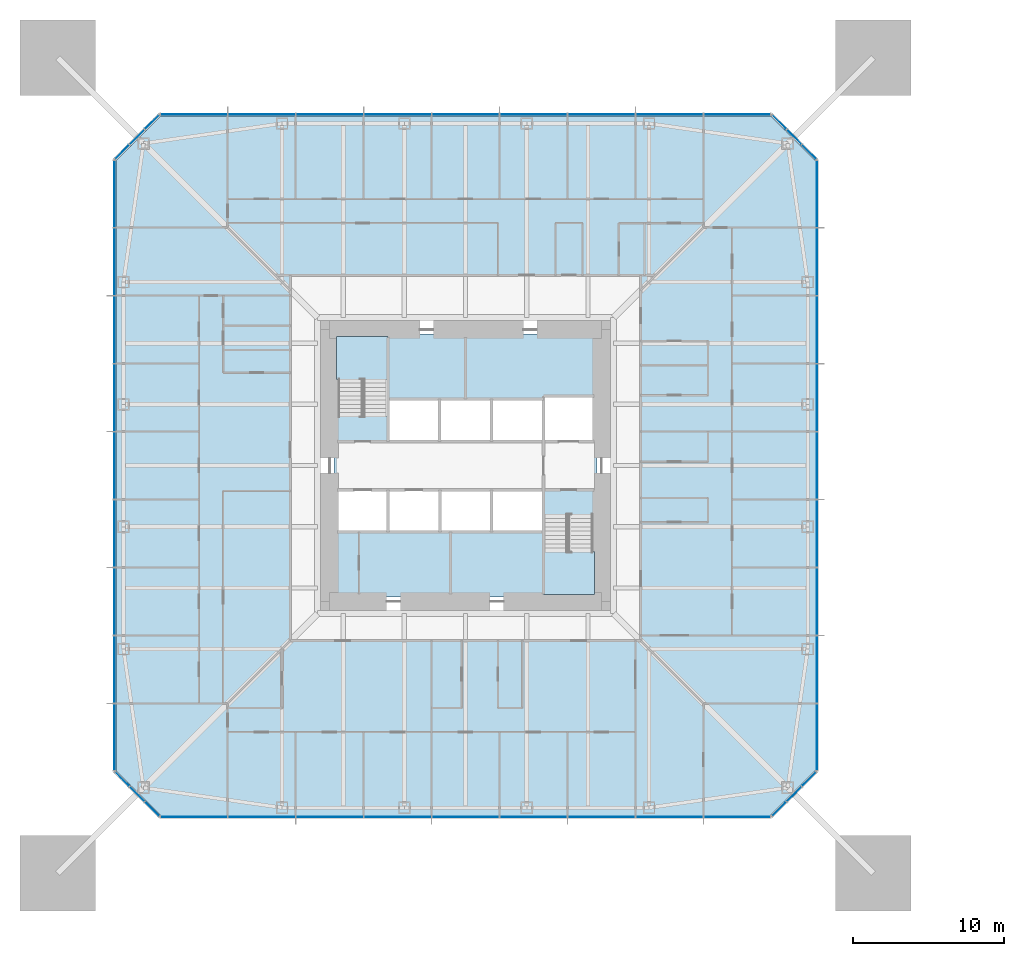
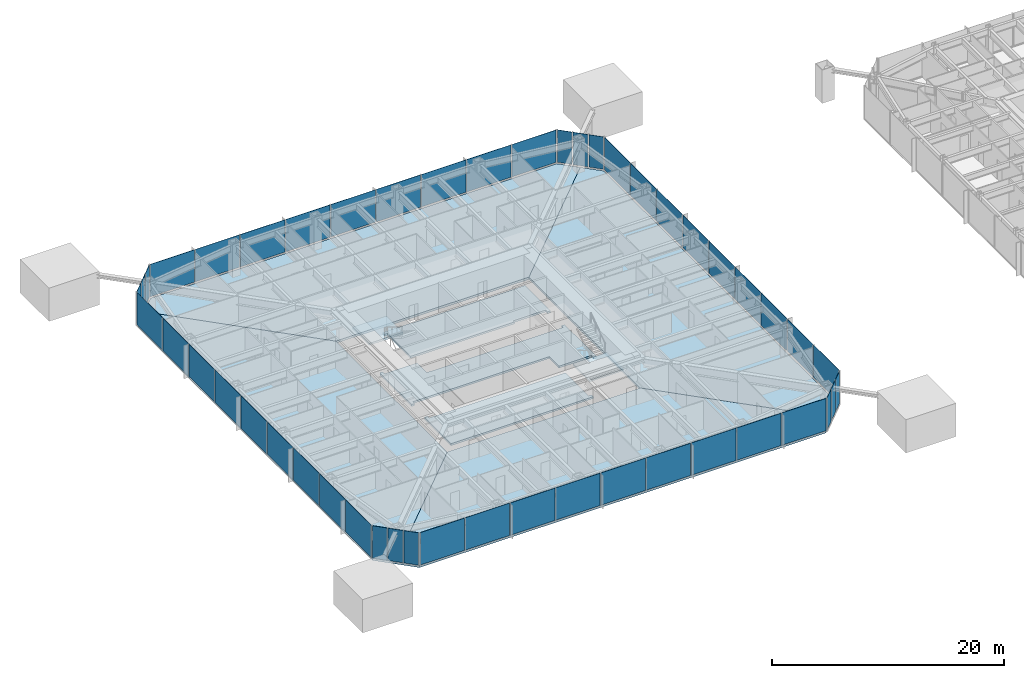
# One storey, part 12 of 26: 48 plates, 9 slabs, 10 elements without a shape of their own.
"""IFC4 building model written with IfcOpenShell, lengths in metres."""

from ifc_helpers import new_model, si_unit, direction, frame, origin, origin_2d, place, context, subcontext, project, spatial, polyline, rectangle, outline, extrude, material, layer, layer_set, constituent, constituent_set, type_object, element, aggregate, save


model = new_model("IFC4")

# Units and contexts
model_context = context("Model", 3, precision=1e-05, world=origin(), true_north=direction((0.0, 1.0)))
body_context = subcontext(model_context, "Body", "Model", "MODEL_VIEW")
ifc_project = project(units=[si_unit("LENGTHUNIT", "METRE"), si_unit("AREAUNIT", "SQUARE_METRE"), si_unit("VOLUMEUNIT", "CUBIC_METRE"), si_unit("PLANEANGLEUNIT", "RADIAN"), si_unit("MASSUNIT", "GRAM", prefix="KILO")], contexts=[model_context])

# Site, building, storey
site_placement = place(None, origin())
site = spatial("IfcSite", under=ifc_project, at=site_placement, CompositionType="ELEMENT")
building_placement = place(site_placement, origin())
building = spatial("IfcBuilding", under=site, at=building_placement, Name="Iwan Alto Co-Living Towers", CompositionType="ELEMENT")
storey_placement = place(building_placement, frame((0.0, 0.0, 39.5)))
storey = spatial("IfcBuildingStorey", under=building, at=storey_placement, Name="L10", CompositionType="ELEMENT", Elevation=39.5)

# Slabs
ifc_material_1 = material(Name="Concrete f'c 30 MPa", Category="concrete")
ifc_layer_1 = layer(ifc_material_1, 0.199951171875)
ifc_layer_set_1 = layer_set([ifc_layer_1], Name="CORE FLOOR SLAB 200")
slab_type_1 = type_object("IfcSlabType", Name="CORE FLOOR SLAB 200", PredefinedType="FLOOR", material=ifc_layer_set_1)
slab_1_placement = place(storey_placement, frame((0.0, 0.0, -0.199951171875)))
element("IfcSlab", 1, at=slab_1_placement, inside=storey, type_object=slab_type_1, Name="T1 core floor L10", PredefinedType="FLOOR", context=body_context, shape_type="SweptSolid", body=[
    extrude(outline(polyline([(8.699951171875, -3.580078125), (8.39990234375, -3.580078125), (8.39990234375, -3.27001953125), (5.14990234375, -3.27001953125), (5.14990234375, -1.60009765625), (1.72509765625, -1.60009765625), (-1.699951171875, -1.60009765625), (-5.125, -1.60009765625), (-8.39990234375, -1.60009765625), (-8.39990234375, -1.909912109375), (-8.699951171875, -1.909912109375), (-8.699951171875, 3.580078125), (-8.39990234375, 3.580078125), (-8.39990234375, 3.27001953125), (-5.14990234375, 3.27001953125), (-5.14990234375, 1.60009765625), (-1.717041015625, 1.60009765625), (1.717041015625, 1.60009765625), (5.14990234375, 1.60009765625), (8.39990234375, 1.60009765625), (8.39990234375, 1.909912109375), (8.699951171875, 1.909912109375), (8.699951171875, -3.580078125)])), origin(), (0.0, 0.0, 1.0), 0.199951171875),
])
slab_2_placement = place(storey_placement, frame((0.0, 0.0, -0.199951171875)))
element("IfcSlab", 2, at=slab_2_placement, inside=storey, type_object=slab_type_1, Name="T1 core floor L10", PredefinedType="FLOOR", context=body_context, shape_type="SweptSolid", body=[
    extrude(outline(polyline([(-1.699951171875, -4.39990234375), (1.72509765625, -4.39990234375), (5.14990234375, -4.39990234375), (5.14990234375, -8.39990234375), (5.4599609375, -8.39990234375), (5.4599609375, -8.699951171875), (-8.699951171875, -8.699951171875), (-8.699951171875, -4.090087890625), (-8.39990234375, -4.090087890625), (-8.39990234375, -4.39990234375), (-5.125, -4.39990234375), (-1.699951171875, -4.39990234375)])), origin(), (0.0, 0.0, 1.0), 0.199951171875),
])
slab_3_placement = place(storey_placement, frame((0.0, 0.0, -0.199951171875)))
element("IfcSlab", 3, at=slab_3_placement, inside=storey, type_object=slab_type_1, Name="T1 core floor L10", PredefinedType="FLOOR", context=body_context, shape_type="SweptSolid", body=[
    extrude(outline(polyline([(1.717041015625, 4.39990234375), (-1.717041015625, 4.39990234375), (-5.14990234375, 4.39990234375), (-5.14990234375, 8.39990234375), (-5.4599609375, 8.39990234375), (-5.4599609375, 8.699951171875), (8.699951171875, 8.699951171875), (8.699951171875, 4.2900390625), (8.39990234375, 4.2900390625), (8.39990234375, 4.60009765625), (5.14990234375, 4.60009765625), (5.14990234375, 4.39990234375), (1.717041015625, 4.39990234375)])), origin(), (0.0, 0.0, 1.0), 0.199951171875),
])

# Curtain wall, plates
ifc_material_2 = material(Name="Bronze aluminium unitised frame", Category="aluminium")
curtain_wall_type_1 = type_object("IfcCurtainWallType", Name="CURTAIN WALL CW-A", PredefinedType="NOTDEFINED", material=ifc_material_2)
curtain_wall_1_placement = place(storey_placement, origin())
curtain_wall_1 = element("IfcCurtainWall", 4, at=curtain_wall_1_placement, inside=storey, type_object=curtain_wall_type_1, Name="T1 curtain wall S L10", PredefinedType="NOTDEFINED")
ifc_material_3 = material(Name="Bronze-tinted insulating glass", Category="glass")
ifc_layer_2 = layer(ifc_material_3, 0.031982421875)
ifc_layer_set_2 = layer_set([ifc_layer_2], Name="CW-A PANEL TINTED IGU 32")
plate_type_1 = type_object("IfcPlateType", Name="CW-A PANEL TINTED IGU 32", PredefinedType="CURTAIN_PANEL", material=ifc_layer_set_2)
plate_1_placement = place(storey_placement, frame((-17.97998046875, -23.25, 0.10009765625), z_axis=(0.0, 0.0, 1.0), x_axis=(1.0, 0.0, 0.0)))
plate_1 = element("IfcPlate", 5, at=plate_1_placement, type_object=plate_type_1, Name="CW-A panel 1.1", PredefinedType="CURTAIN_PANEL", context=body_context, shape_type="SweptSolid", body=[
    extrude(rectangle(XDim=4.3798828125, YDim=0.031982421875, at=origin_2d()), origin(), (0.0, 0.0, 1.0), 3.39990234375),
])
plate_2_placement = place(storey_placement, frame((-13.5, -23.25, 0.10009765625), z_axis=(0.0, 0.0, 1.0), x_axis=(1.0, 0.0, 0.0)))
plate_2 = element("IfcPlate", 6, at=plate_2_placement, type_object=plate_type_1, Name="CW-A panel 2.1", PredefinedType="CURTAIN_PANEL", context=body_context, shape_type="SweptSolid", body=[
    extrude(rectangle(XDim=4.419921875, YDim=0.031982421875, at=origin_2d()), origin(), (0.0, 0.0, 1.0), 3.39990234375),
])
plate_3_placement = place(storey_placement, frame((-9.0, -23.25, 0.10009765625), z_axis=(0.0, 0.0, 1.0), x_axis=(1.0, 0.0, 0.0)))
plate_3 = element("IfcPlate", 7, at=plate_3_placement, type_object=plate_type_1, Name="CW-A panel 3.1", PredefinedType="CURTAIN_PANEL", context=body_context, shape_type="SweptSolid", body=[
    extrude(rectangle(XDim=4.419921875, YDim=0.031982421875, at=origin_2d()), origin(), (0.0, 0.0, 1.0), 3.39990234375),
])
plate_4_placement = place(storey_placement, frame((-4.5, -23.25, 0.10009765625), z_axis=(0.0, 0.0, 1.0), x_axis=(1.0, 0.0, 0.0)))
plate_4 = element("IfcPlate", 8, at=plate_4_placement, type_object=plate_type_1, Name="CW-A panel 4.1", PredefinedType="CURTAIN_PANEL", context=body_context, shape_type="SweptSolid", body=[
    extrude(rectangle(XDim=4.419921875, YDim=0.031982421875, at=origin_2d()), origin(), (0.0, 0.0, 1.0), 3.39990234375),
])
plate_5_placement = place(storey_placement, frame((0.0, -23.25, 0.10009765625), z_axis=(0.0, 0.0, 1.0), x_axis=(1.0, 0.0, 0.0)))
plate_5 = element("IfcPlate", 9, at=plate_5_placement, type_object=plate_type_1, Name="CW-A panel 5.1", PredefinedType="CURTAIN_PANEL", context=body_context, shape_type="SweptSolid", body=[
    extrude(rectangle(XDim=4.419921875, YDim=0.031982421875, at=origin_2d()), origin(), (0.0, 0.0, 1.0), 3.39990234375),
])
plate_6_placement = place(storey_placement, frame((4.5, -23.25, 0.10009765625), z_axis=(0.0, 0.0, 1.0), x_axis=(1.0, 0.0, 0.0)))
plate_6 = element("IfcPlate", 10, at=plate_6_placement, type_object=plate_type_1, Name="CW-A panel 6.1", PredefinedType="CURTAIN_PANEL", context=body_context, shape_type="SweptSolid", body=[
    extrude(rectangle(XDim=4.419921875, YDim=0.031982421875, at=origin_2d()), origin(), (0.0, 0.0, 1.0), 3.39990234375),
])
plate_7_placement = place(storey_placement, frame((9.0, -23.25, 0.10009765625), z_axis=(0.0, 0.0, 1.0), x_axis=(1.0, 0.0, 0.0)))
plate_7 = element("IfcPlate", 11, at=plate_7_placement, type_object=plate_type_1, Name="CW-A panel 7.1", PredefinedType="CURTAIN_PANEL", context=body_context, shape_type="SweptSolid", body=[
    extrude(rectangle(XDim=4.419921875, YDim=0.031982421875, at=origin_2d()), origin(), (0.0, 0.0, 1.0), 3.39990234375),
])
plate_8_placement = place(storey_placement, frame((13.5, -23.25, 0.10009765625), z_axis=(0.0, 0.0, 1.0), x_axis=(1.0, 0.0, 0.0)))
plate_8 = element("IfcPlate", 12, at=plate_8_placement, type_object=plate_type_1, Name="CW-A panel 8.1", PredefinedType="CURTAIN_PANEL", context=body_context, shape_type="SweptSolid", body=[
    extrude(rectangle(XDim=4.419921875, YDim=0.031982421875, at=origin_2d()), origin(), (0.0, 0.0, 1.0), 3.39990234375),
])
plate_9_placement = place(storey_placement, frame((17.97998046875, -23.25, 0.10009765625), z_axis=(0.0, 0.0, 1.0), x_axis=(1.0, 0.0, 0.0)))
plate_9 = element("IfcPlate", 13, at=plate_9_placement, type_object=plate_type_1, Name="CW-A panel 9.1", PredefinedType="CURTAIN_PANEL", context=body_context, shape_type="SweptSolid", body=[
    extrude(rectangle(XDim=4.3798828125, YDim=0.031982421875, at=origin_2d()), origin(), (0.0, 0.0, 1.0), 3.39990234375),
])
aggregate(curtain_wall_1, [plate_1, plate_2, plate_3, plate_4, plate_5, plate_6, plate_7, plate_8, plate_9])

curtain_wall_2_placement = place(storey_placement, origin())
curtain_wall_2 = element("IfcCurtainWall", 14, at=curtain_wall_2_placement, inside=storey, type_object=curtain_wall_type_1, Name="T1 curtain wall E L10", PredefinedType="NOTDEFINED")
plate_10_placement = place(storey_placement, frame((23.25, -17.97998046875, 0.10009765625), z_axis=(0.0, 0.0, 1.0), x_axis=(0.0, 1.0, 0.0)))
plate_10 = element("IfcPlate", 15, at=plate_10_placement, type_object=plate_type_1, Name="CW-A panel 1.1", PredefinedType="CURTAIN_PANEL", context=body_context, shape_type="SweptSolid", body=[
    extrude(rectangle(XDim=4.3798828125, YDim=0.031982421875, at=origin_2d()), origin(), (0.0, 0.0, 1.0), 3.39990234375),
])
plate_11_placement = place(storey_placement, frame((23.25, -13.5, 0.10009765625), z_axis=(0.0, 0.0, 1.0), x_axis=(0.0, 1.0, 0.0)))
plate_11 = element("IfcPlate", 16, at=plate_11_placement, type_object=plate_type_1, Name="CW-A panel 2.1", PredefinedType="CURTAIN_PANEL", context=body_context, shape_type="SweptSolid", body=[
    extrude(rectangle(XDim=4.419921875, YDim=0.031982421875, at=origin_2d()), origin(), (0.0, 0.0, 1.0), 3.39990234375),
])
plate_12_placement = place(storey_placement, frame((23.25, -9.0, 0.10009765625), z_axis=(0.0, 0.0, 1.0), x_axis=(0.0, 1.0, 0.0)))
plate_12 = element("IfcPlate", 17, at=plate_12_placement, type_object=plate_type_1, Name="CW-A panel 3.1", PredefinedType="CURTAIN_PANEL", context=body_context, shape_type="SweptSolid", body=[
    extrude(rectangle(XDim=4.419921875, YDim=0.031982421875, at=origin_2d()), origin(), (0.0, 0.0, 1.0), 3.39990234375),
])
plate_13_placement = place(storey_placement, frame((23.25, -4.5, 0.10009765625), z_axis=(0.0, 0.0, 1.0), x_axis=(0.0, 1.0, 0.0)))
plate_13 = element("IfcPlate", 18, at=plate_13_placement, type_object=plate_type_1, Name="CW-A panel 4.1", PredefinedType="CURTAIN_PANEL", context=body_context, shape_type="SweptSolid", body=[
    extrude(rectangle(XDim=4.419921875, YDim=0.031982421875, at=origin_2d()), origin(), (0.0, 0.0, 1.0), 3.39990234375),
])
plate_14_placement = place(storey_placement, frame((23.25, 0.0, 0.10009765625), z_axis=(0.0, 0.0, 1.0), x_axis=(0.0, 1.0, 0.0)))
plate_14 = element("IfcPlate", 19, at=plate_14_placement, type_object=plate_type_1, Name="CW-A panel 5.1", PredefinedType="CURTAIN_PANEL", context=body_context, shape_type="SweptSolid", body=[
    extrude(rectangle(XDim=4.419921875, YDim=0.031982421875, at=origin_2d()), origin(), (0.0, 0.0, 1.0), 3.39990234375),
])
plate_15_placement = place(storey_placement, frame((23.25, 4.5, 0.10009765625), z_axis=(0.0, 0.0, 1.0), x_axis=(0.0, 1.0, 0.0)))
plate_15 = element("IfcPlate", 20, at=plate_15_placement, type_object=plate_type_1, Name="CW-A panel 6.1", PredefinedType="CURTAIN_PANEL", context=body_context, shape_type="SweptSolid", body=[
    extrude(rectangle(XDim=4.419921875, YDim=0.031982421875, at=origin_2d()), origin(), (0.0, 0.0, 1.0), 3.39990234375),
])
plate_16_placement = place(storey_placement, frame((23.25, 9.0, 0.10009765625), z_axis=(0.0, 0.0, 1.0), x_axis=(0.0, 1.0, 0.0)))
plate_16 = element("IfcPlate", 21, at=plate_16_placement, type_object=plate_type_1, Name="CW-A panel 7.1", PredefinedType="CURTAIN_PANEL", context=body_context, shape_type="SweptSolid", body=[
    extrude(rectangle(XDim=4.419921875, YDim=0.031982421875, at=origin_2d()), origin(), (0.0, 0.0, 1.0), 3.39990234375),
])
plate_17_placement = place(storey_placement, frame((23.25, 13.5, 0.10009765625), z_axis=(0.0, 0.0, 1.0), x_axis=(0.0, 1.0, 0.0)))
plate_17 = element("IfcPlate", 22, at=plate_17_placement, type_object=plate_type_1, Name="CW-A panel 8.1", PredefinedType="CURTAIN_PANEL", context=body_context, shape_type="SweptSolid", body=[
    extrude(rectangle(XDim=4.419921875, YDim=0.031982421875, at=origin_2d()), origin(), (0.0, 0.0, 1.0), 3.39990234375),
])
plate_18_placement = place(storey_placement, frame((23.25, 17.97998046875, 0.10009765625), z_axis=(0.0, 0.0, 1.0), x_axis=(0.0, 1.0, 0.0)))
plate_18 = element("IfcPlate", 23, at=plate_18_placement, type_object=plate_type_1, Name="CW-A panel 9.1", PredefinedType="CURTAIN_PANEL", context=body_context, shape_type="SweptSolid", body=[
    extrude(rectangle(XDim=4.3798828125, YDim=0.031982421875, at=origin_2d()), origin(), (0.0, 0.0, 1.0), 3.39990234375),
])
aggregate(curtain_wall_2, [plate_10, plate_11, plate_12, plate_13, plate_14, plate_15, plate_16, plate_17, plate_18])

curtain_wall_3_placement = place(storey_placement, origin())
curtain_wall_3 = element("IfcCurtainWall", 24, at=curtain_wall_3_placement, inside=storey, type_object=curtain_wall_type_1, Name="T1 curtain wall N L10", PredefinedType="NOTDEFINED")
plate_19_placement = place(storey_placement, frame((17.97998046875, 23.25, 0.10009765625), z_axis=(0.0, 0.0, 1.0), x_axis=(-1.0, 0.0, 0.0)))
plate_19 = element("IfcPlate", 25, at=plate_19_placement, type_object=plate_type_1, Name="CW-A panel 1.1", PredefinedType="CURTAIN_PANEL", context=body_context, shape_type="SweptSolid", body=[
    extrude(rectangle(XDim=4.3798828125, YDim=0.031982421875, at=origin_2d()), origin(), (0.0, 0.0, 1.0), 3.39990234375),
])
plate_20_placement = place(storey_placement, frame((13.5, 23.25, 0.10009765625), z_axis=(0.0, 0.0, 1.0), x_axis=(-1.0, 0.0, 0.0)))
plate_20 = element("IfcPlate", 26, at=plate_20_placement, type_object=plate_type_1, Name="CW-A panel 2.1", PredefinedType="CURTAIN_PANEL", context=body_context, shape_type="SweptSolid", body=[
    extrude(rectangle(XDim=4.419921875, YDim=0.031982421875, at=origin_2d()), origin(), (0.0, 0.0, 1.0), 3.39990234375),
])
plate_21_placement = place(storey_placement, frame((9.0, 23.25, 0.10009765625), z_axis=(0.0, 0.0, 1.0), x_axis=(-1.0, 0.0, 0.0)))
plate_21 = element("IfcPlate", 27, at=plate_21_placement, type_object=plate_type_1, Name="CW-A panel 3.1", PredefinedType="CURTAIN_PANEL", context=body_context, shape_type="SweptSolid", body=[
    extrude(rectangle(XDim=4.419921875, YDim=0.031982421875, at=origin_2d()), origin(), (0.0, 0.0, 1.0), 3.39990234375),
])
plate_22_placement = place(storey_placement, frame((4.5, 23.25, 0.10009765625), z_axis=(0.0, 0.0, 1.0), x_axis=(-1.0, 0.0, 0.0)))
plate_22 = element("IfcPlate", 28, at=plate_22_placement, type_object=plate_type_1, Name="CW-A panel 4.1", PredefinedType="CURTAIN_PANEL", context=body_context, shape_type="SweptSolid", body=[
    extrude(rectangle(XDim=4.419921875, YDim=0.031982421875, at=origin_2d()), origin(), (0.0, 0.0, 1.0), 3.39990234375),
])
plate_23_placement = place(storey_placement, frame((0.0, 23.25, 0.10009765625), z_axis=(0.0, 0.0, 1.0), x_axis=(-1.0, 0.0, 0.0)))
plate_23 = element("IfcPlate", 29, at=plate_23_placement, type_object=plate_type_1, Name="CW-A panel 5.1", PredefinedType="CURTAIN_PANEL", context=body_context, shape_type="SweptSolid", body=[
    extrude(rectangle(XDim=4.419921875, YDim=0.031982421875, at=origin_2d()), origin(), (0.0, 0.0, 1.0), 3.39990234375),
])
plate_24_placement = place(storey_placement, frame((-4.5, 23.25, 0.10009765625), z_axis=(0.0, 0.0, 1.0), x_axis=(-1.0, 0.0, 0.0)))
plate_24 = element("IfcPlate", 30, at=plate_24_placement, type_object=plate_type_1, Name="CW-A panel 6.1", PredefinedType="CURTAIN_PANEL", context=body_context, shape_type="SweptSolid", body=[
    extrude(rectangle(XDim=4.419921875, YDim=0.031982421875, at=origin_2d()), origin(), (0.0, 0.0, 1.0), 3.39990234375),
])
plate_25_placement = place(storey_placement, frame((-9.0, 23.25, 0.10009765625), z_axis=(0.0, 0.0, 1.0), x_axis=(-1.0, 0.0, 0.0)))
plate_25 = element("IfcPlate", 31, at=plate_25_placement, type_object=plate_type_1, Name="CW-A panel 7.1", PredefinedType="CURTAIN_PANEL", context=body_context, shape_type="SweptSolid", body=[
    extrude(rectangle(XDim=4.419921875, YDim=0.031982421875, at=origin_2d()), origin(), (0.0, 0.0, 1.0), 3.39990234375),
])
plate_26_placement = place(storey_placement, frame((-13.5, 23.25, 0.10009765625), z_axis=(0.0, 0.0, 1.0), x_axis=(-1.0, 0.0, 0.0)))
plate_26 = element("IfcPlate", 32, at=plate_26_placement, type_object=plate_type_1, Name="CW-A panel 8.1", PredefinedType="CURTAIN_PANEL", context=body_context, shape_type="SweptSolid", body=[
    extrude(rectangle(XDim=4.419921875, YDim=0.031982421875, at=origin_2d()), origin(), (0.0, 0.0, 1.0), 3.39990234375),
])
plate_27_placement = place(storey_placement, frame((-17.97998046875, 23.25, 0.10009765625), z_axis=(0.0, 0.0, 1.0), x_axis=(-1.0, 0.0, 0.0)))
plate_27 = element("IfcPlate", 33, at=plate_27_placement, type_object=plate_type_1, Name="CW-A panel 9.1", PredefinedType="CURTAIN_PANEL", context=body_context, shape_type="SweptSolid", body=[
    extrude(rectangle(XDim=4.3798828125, YDim=0.031982421875, at=origin_2d()), origin(), (0.0, 0.0, 1.0), 3.39990234375),
])
aggregate(curtain_wall_3, [plate_19, plate_20, plate_21, plate_22, plate_23, plate_24, plate_25, plate_26, plate_27])

curtain_wall_4_placement = place(storey_placement, origin())
curtain_wall_4 = element("IfcCurtainWall", 34, at=curtain_wall_4_placement, inside=storey, type_object=curtain_wall_type_1, Name="T1 curtain wall W L10", PredefinedType="NOTDEFINED")
plate_28_placement = place(storey_placement, frame((-23.25, 17.97998046875, 0.10009765625), z_axis=(0.0, 0.0, 1.0), x_axis=(0.0, -1.0, 0.0)))
plate_28 = element("IfcPlate", 35, at=plate_28_placement, type_object=plate_type_1, Name="CW-A panel 1.1", PredefinedType="CURTAIN_PANEL", context=body_context, shape_type="SweptSolid", body=[
    extrude(rectangle(XDim=4.3798828125, YDim=0.031982421875, at=origin_2d()), origin(), (0.0, 0.0, 1.0), 3.39990234375),
])
plate_29_placement = place(storey_placement, frame((-23.25, 13.5, 0.10009765625), z_axis=(0.0, 0.0, 1.0), x_axis=(0.0, -1.0, 0.0)))
plate_29 = element("IfcPlate", 36, at=plate_29_placement, type_object=plate_type_1, Name="CW-A panel 2.1", PredefinedType="CURTAIN_PANEL", context=body_context, shape_type="SweptSolid", body=[
    extrude(rectangle(XDim=4.419921875, YDim=0.031982421875, at=origin_2d()), origin(), (0.0, 0.0, 1.0), 3.39990234375),
])
plate_30_placement = place(storey_placement, frame((-23.25, 9.0, 0.10009765625), z_axis=(0.0, 0.0, 1.0), x_axis=(0.0, -1.0, 0.0)))
plate_30 = element("IfcPlate", 37, at=plate_30_placement, type_object=plate_type_1, Name="CW-A panel 3.1", PredefinedType="CURTAIN_PANEL", context=body_context, shape_type="SweptSolid", body=[
    extrude(rectangle(XDim=4.419921875, YDim=0.031982421875, at=origin_2d()), origin(), (0.0, 0.0, 1.0), 3.39990234375),
])
plate_31_placement = place(storey_placement, frame((-23.25, 4.5, 0.10009765625), z_axis=(0.0, 0.0, 1.0), x_axis=(0.0, -1.0, 0.0)))
plate_31 = element("IfcPlate", 38, at=plate_31_placement, type_object=plate_type_1, Name="CW-A panel 4.1", PredefinedType="CURTAIN_PANEL", context=body_context, shape_type="SweptSolid", body=[
    extrude(rectangle(XDim=4.419921875, YDim=0.031982421875, at=origin_2d()), origin(), (0.0, 0.0, 1.0), 3.39990234375),
])
plate_32_placement = place(storey_placement, frame((-23.25, 0.0, 0.10009765625), z_axis=(0.0, 0.0, 1.0), x_axis=(0.0, -1.0, 0.0)))
plate_32 = element("IfcPlate", 39, at=plate_32_placement, type_object=plate_type_1, Name="CW-A panel 5.1", PredefinedType="CURTAIN_PANEL", context=body_context, shape_type="SweptSolid", body=[
    extrude(rectangle(XDim=4.419921875, YDim=0.031982421875, at=origin_2d()), origin(), (0.0, 0.0, 1.0), 3.39990234375),
])
plate_33_placement = place(storey_placement, frame((-23.25, -4.5, 0.10009765625), z_axis=(0.0, 0.0, 1.0), x_axis=(0.0, -1.0, 0.0)))
plate_33 = element("IfcPlate", 40, at=plate_33_placement, type_object=plate_type_1, Name="CW-A panel 6.1", PredefinedType="CURTAIN_PANEL", context=body_context, shape_type="SweptSolid", body=[
    extrude(rectangle(XDim=4.419921875, YDim=0.031982421875, at=origin_2d()), origin(), (0.0, 0.0, 1.0), 3.39990234375),
])
plate_34_placement = place(storey_placement, frame((-23.25, -9.0, 0.10009765625), z_axis=(0.0, 0.0, 1.0), x_axis=(0.0, -1.0, 0.0)))
plate_34 = element("IfcPlate", 41, at=plate_34_placement, type_object=plate_type_1, Name="CW-A panel 7.1", PredefinedType="CURTAIN_PANEL", context=body_context, shape_type="SweptSolid", body=[
    extrude(rectangle(XDim=4.419921875, YDim=0.031982421875, at=origin_2d()), origin(), (0.0, 0.0, 1.0), 3.39990234375),
])
plate_35_placement = place(storey_placement, frame((-23.25, -13.5, 0.10009765625), z_axis=(0.0, 0.0, 1.0), x_axis=(0.0, -1.0, 0.0)))
plate_35 = element("IfcPlate", 42, at=plate_35_placement, type_object=plate_type_1, Name="CW-A panel 8.1", PredefinedType="CURTAIN_PANEL", context=body_context, shape_type="SweptSolid", body=[
    extrude(rectangle(XDim=4.419921875, YDim=0.031982421875, at=origin_2d()), origin(), (0.0, 0.0, 1.0), 3.39990234375),
])
plate_36_placement = place(storey_placement, frame((-23.25, -17.97998046875, 0.10009765625), z_axis=(0.0, 0.0, 1.0), x_axis=(0.0, -1.0, 0.0)))
plate_36 = element("IfcPlate", 43, at=plate_36_placement, type_object=plate_type_1, Name="CW-A panel 9.1", PredefinedType="CURTAIN_PANEL", context=body_context, shape_type="SweptSolid", body=[
    extrude(rectangle(XDim=4.3798828125, YDim=0.031982421875, at=origin_2d()), origin(), (0.0, 0.0, 1.0), 3.39990234375),
])
aggregate(curtain_wall_4, [plate_28, plate_29, plate_30, plate_31, plate_32, plate_33, plate_34, plate_35, plate_36])

ifc_material_4 = material(Name="Bronze aluminium unitised frame", Category="aluminium")
curtain_wall_type_2 = type_object("IfcCurtainWallType", Name="CURTAIN WALL CW-B", PredefinedType="NOTDEFINED", material=ifc_material_4)
curtain_wall_5_placement = place(storey_placement, origin())
curtain_wall_5 = element("IfcCurtainWall", 44, at=curtain_wall_5_placement, inside=storey, type_object=curtain_wall_type_2, Name="T1 chamfer curtain wall SE L10", PredefinedType="NOTDEFINED")
ifc_material_5 = material(Name="Bronze-tinted insulating glass", Category="glass")
ifc_layer_3 = layer(ifc_material_5, 0.031982421875)
ifc_layer_set_3 = layer_set([ifc_layer_3], Name="CW-B PANEL TINTED IGU 32")
plate_type_2 = type_object("IfcPlateType", Name="CW-B PANEL TINTED IGU 32", PredefinedType="CURTAIN_PANEL", material=ifc_layer_set_3)
plate_37_placement = place(storey_placement, frame((20.76416015625, -22.73583984375, 0.10009765625), z_axis=(0.0, 0.0, 1.0), x_axis=(0.707106781187, 0.707106781187, 0.0)))
plate_37 = element("IfcPlate", 45, at=plate_37_placement, type_object=plate_type_2, Name="CW-B panel 1.1", PredefinedType="CURTAIN_PANEL", context=body_context, shape_type="SweptSolid", body=[
    extrude(rectangle(XDim=1.294189453125, YDim=0.031982421875, at=origin_2d()), origin(), (0.0, 0.0, 1.0), 3.39990234375),
])
plate_38_placement = place(storey_placement, frame((21.75, -21.75, 0.10009765625), z_axis=(0.0, 0.0, 1.0), x_axis=(0.707106781187, 0.707106781187, 0.0)))
plate_38 = element("IfcPlate", 46, at=plate_38_placement, type_object=plate_type_2, Name="CW-B panel 2.1", PredefinedType="CURTAIN_PANEL", context=body_context, shape_type="SweptSolid", body=[
    extrude(rectangle(XDim=1.334228515625, YDim=0.031982421875, at=origin_2d()), origin(), (0.0, 0.0, 1.0), 3.39990234375),
])
plate_39_placement = place(storey_placement, frame((22.73583984375, -20.76416015625, 0.10009765625), z_axis=(0.0, 0.0, 1.0), x_axis=(0.707106781187, 0.707106781187, 0.0)))
plate_39 = element("IfcPlate", 47, at=plate_39_placement, type_object=plate_type_2, Name="CW-B panel 3.1", PredefinedType="CURTAIN_PANEL", context=body_context, shape_type="SweptSolid", body=[
    extrude(rectangle(XDim=1.294189453125, YDim=0.031982421875, at=origin_2d()), origin(), (0.0, 0.0, 1.0), 3.39990234375),
])
aggregate(curtain_wall_5, [plate_37, plate_38, plate_39])

curtain_wall_6_placement = place(storey_placement, origin())
curtain_wall_6 = element("IfcCurtainWall", 48, at=curtain_wall_6_placement, inside=storey, type_object=curtain_wall_type_2, Name="T1 chamfer curtain wall NE L10", PredefinedType="NOTDEFINED")
plate_40_placement = place(storey_placement, frame((22.73583984375, 20.76416015625, 0.10009765625), z_axis=(0.0, 0.0, 1.0), x_axis=(-0.707106781187, 0.707106781187, 0.0)))
plate_40 = element("IfcPlate", 49, at=plate_40_placement, type_object=plate_type_2, Name="CW-B panel 1.1", PredefinedType="CURTAIN_PANEL", context=body_context, shape_type="SweptSolid", body=[
    extrude(rectangle(XDim=1.294189453125, YDim=0.031982421875, at=origin_2d()), origin(), (0.0, 0.0, 1.0), 3.39990234375),
])
plate_41_placement = place(storey_placement, frame((21.75, 21.75, 0.10009765625), z_axis=(0.0, 0.0, 1.0), x_axis=(-0.707106781187, 0.707106781187, 0.0)))
plate_41 = element("IfcPlate", 50, at=plate_41_placement, type_object=plate_type_2, Name="CW-B panel 2.1", PredefinedType="CURTAIN_PANEL", context=body_context, shape_type="SweptSolid", body=[
    extrude(rectangle(XDim=1.334228515625, YDim=0.031982421875, at=origin_2d()), origin(), (0.0, 0.0, 1.0), 3.39990234375),
])
plate_42_placement = place(storey_placement, frame((20.76416015625, 22.73583984375, 0.10009765625), z_axis=(0.0, 0.0, 1.0), x_axis=(-0.707106781187, 0.707106781187, 0.0)))
plate_42 = element("IfcPlate", 51, at=plate_42_placement, type_object=plate_type_2, Name="CW-B panel 3.1", PredefinedType="CURTAIN_PANEL", context=body_context, shape_type="SweptSolid", body=[
    extrude(rectangle(XDim=1.294189453125, YDim=0.031982421875, at=origin_2d()), origin(), (0.0, 0.0, 1.0), 3.39990234375),
])
aggregate(curtain_wall_6, [plate_40, plate_41, plate_42])

curtain_wall_7_placement = place(storey_placement, origin())
curtain_wall_7 = element("IfcCurtainWall", 52, at=curtain_wall_7_placement, inside=storey, type_object=curtain_wall_type_2, Name="T1 chamfer curtain wall NW L10", PredefinedType="NOTDEFINED")
plate_43_placement = place(storey_placement, frame((-20.76416015625, 22.73583984375, 0.10009765625), z_axis=(0.0, 0.0, 1.0), x_axis=(-0.707106781187, -0.707106781187, 0.0)))
plate_43 = element("IfcPlate", 53, at=plate_43_placement, type_object=plate_type_2, Name="CW-B panel 1.1", PredefinedType="CURTAIN_PANEL", context=body_context, shape_type="SweptSolid", body=[
    extrude(rectangle(XDim=1.294189453125, YDim=0.031982421875, at=origin_2d()), origin(), (0.0, 0.0, 1.0), 3.39990234375),
])
plate_44_placement = place(storey_placement, frame((-21.75, 21.75, 0.10009765625), z_axis=(0.0, 0.0, 1.0), x_axis=(-0.707106781187, -0.707106781187, 0.0)))
plate_44 = element("IfcPlate", 54, at=plate_44_placement, type_object=plate_type_2, Name="CW-B panel 2.1", PredefinedType="CURTAIN_PANEL", context=body_context, shape_type="SweptSolid", body=[
    extrude(rectangle(XDim=1.334228515625, YDim=0.031982421875, at=origin_2d()), origin(), (0.0, 0.0, 1.0), 3.39990234375),
])
plate_45_placement = place(storey_placement, frame((-22.73583984375, 20.76416015625, 0.10009765625), z_axis=(0.0, 0.0, 1.0), x_axis=(-0.707106781187, -0.707106781187, 0.0)))
plate_45 = element("IfcPlate", 55, at=plate_45_placement, type_object=plate_type_2, Name="CW-B panel 3.1", PredefinedType="CURTAIN_PANEL", context=body_context, shape_type="SweptSolid", body=[
    extrude(rectangle(XDim=1.294189453125, YDim=0.031982421875, at=origin_2d()), origin(), (0.0, 0.0, 1.0), 3.39990234375),
])
aggregate(curtain_wall_7, [plate_43, plate_44, plate_45])

curtain_wall_8_placement = place(storey_placement, origin())
curtain_wall_8 = element("IfcCurtainWall", 56, at=curtain_wall_8_placement, inside=storey, type_object=curtain_wall_type_2, Name="T1 chamfer curtain wall SW L10", PredefinedType="NOTDEFINED")
plate_46_placement = place(storey_placement, frame((-22.73583984375, -20.76416015625, 0.10009765625), z_axis=(0.0, 0.0, 1.0), x_axis=(0.707106781187, -0.707106781187, 0.0)))
plate_46 = element("IfcPlate", 57, at=plate_46_placement, type_object=plate_type_2, Name="CW-B panel 1.1", PredefinedType="CURTAIN_PANEL", context=body_context, shape_type="SweptSolid", body=[
    extrude(rectangle(XDim=1.294189453125, YDim=0.031982421875, at=origin_2d()), origin(), (0.0, 0.0, 1.0), 3.39990234375),
])
plate_47_placement = place(storey_placement, frame((-21.75, -21.75, 0.10009765625), z_axis=(0.0, 0.0, 1.0), x_axis=(0.707106781187, -0.707106781187, 0.0)))
plate_47 = element("IfcPlate", 58, at=plate_47_placement, type_object=plate_type_2, Name="CW-B panel 2.1", PredefinedType="CURTAIN_PANEL", context=body_context, shape_type="SweptSolid", body=[
    extrude(rectangle(XDim=1.334228515625, YDim=0.031982421875, at=origin_2d()), origin(), (0.0, 0.0, 1.0), 3.39990234375),
])
plate_48_placement = place(storey_placement, frame((-20.76416015625, -22.73583984375, 0.10009765625), z_axis=(0.0, 0.0, 1.0), x_axis=(0.707106781187, -0.707106781187, 0.0)))
plate_48 = element("IfcPlate", 59, at=plate_48_placement, type_object=plate_type_2, Name="CW-B panel 3.1", PredefinedType="CURTAIN_PANEL", context=body_context, shape_type="SweptSolid", body=[
    extrude(rectangle(XDim=1.294189453125, YDim=0.031982421875, at=origin_2d()), origin(), (0.0, 0.0, 1.0), 3.39990234375),
])
aggregate(curtain_wall_8, [plate_46, plate_47, plate_48])

# Stair, slab
ifc_material_6 = material(Name="Steel ASTM A36", Category="steel")
ifc_constituent_1 = constituent(ifc_material_6, Name="Stringers", Category="LoadBearing")
ifc_material_7 = material(Name="Concrete f'c 30 MPa", Category="concrete")
ifc_constituent_2 = constituent(ifc_material_7, Name="Tread fill", Category="Finish")
ifc_constituent_set = constituent_set(constituents=[ifc_constituent_1, ifc_constituent_2], Name="STAIR 3500 TWO-FLIGHT T1 CORE")
stair_type = type_object("IfcStairType", Name="STAIR 3500 TWO-FLIGHT T1 CORE", PredefinedType="HALF_TURN_STAIR", material=ifc_constituent_set)
stair_1_placement = place(storey_placement, origin())
stair_1 = element("IfcStair", 60, at=stair_1_placement, inside=storey, type_object=stair_type, Name="Stair T1-S1 L10 to L11", PredefinedType="HALF_TURN_STAIR")
ifc_material_8 = material(Name="Concrete f'c 30 MPa", Category="concrete")
ifc_layer_4 = layer(ifc_material_8, 0.199951171875)
ifc_layer_set_4 = layer_set([ifc_layer_4], Name="STAIR LANDING 200")
slab_type_2 = type_object("IfcSlabType", Name="STAIR LANDING 200", PredefinedType="LANDING", material=ifc_layer_set_4)
slab_4_placement = place(storey_placement, frame((0.0, 0.0, 1.550048828125)))
slab_4 = element("IfcSlab", 61, at=slab_4_placement, type_object=slab_type_2, Name="T1-S1 landing 1", PredefinedType="LANDING", context=body_context, shape_type="SweptSolid", body=[
    extrude(outline(polyline([(-8.550048828125, 5.68994140625), (-8.550048828125, 8.550048828125), (-5.14990234375, 8.550048828125), (-5.14990234375, 5.68994140625), (-8.550048828125, 5.68994140625)])), origin(), (0.0, 0.0, 1.0), 0.199951171875),
])
aggregate(stair_1, [slab_4])

stair_2_placement = place(storey_placement, origin())
stair_2 = element("IfcStair", 62, at=stair_2_placement, inside=storey, type_object=stair_type, Name="Stair T1-S2 L10 to L11", PredefinedType="HALF_TURN_STAIR")
slab_5_placement = place(storey_placement, frame((0.0, 0.0, 1.550048828125)))
slab_5 = element("IfcSlab", 63, at=slab_5_placement, type_object=slab_type_2, Name="T1-S2 landing 1", PredefinedType="LANDING", context=body_context, shape_type="SweptSolid", body=[
    extrude(outline(polyline([(5.14990234375, -5.68994140625), (5.14990234375, -8.550048828125), (8.550048828125, -8.550048828125), (8.550048828125, -5.68994140625), (5.14990234375, -5.68994140625)])), origin(), (0.0, 0.0, 1.0), 0.199951171875),
])
aggregate(stair_2, [slab_5])

# Slabs
ifc_material_9 = material(Name="Concrete f'c 30 MPa", Category="concrete")
ifc_layer_5 = layer(ifc_material_9, 0.22998046875)
ifc_layer_set_5 = layer_set([ifc_layer_5], Name="T1 FLOOR SLAB 230")
slab_type_3 = type_object("IfcSlabType", Name="T1 FLOOR SLAB 230", PredefinedType="FLOOR", material=ifc_layer_set_5)
slab_6_placement = place(storey_placement, frame((0.0, 0.0, -0.22998046875)))
element("IfcSlab", 64, at=slab_6_placement, inside=storey, type_object=slab_type_3, Name="T1 floor slab L10 S pour", PredefinedType="FLOOR", context=body_context, shape_type="SweptSolid", body=[
    extrude(outline(polyline([(20.19140625, -23.14990234375), (-20.19140625, -23.14990234375), (-21.670654296875, -21.670654296875), (-9.60009765625, -9.60009765625), (9.60009765625, -9.60009765625), (21.670654296875, -21.670654296875), (20.19140625, -23.14990234375)])), origin(), (0.0, 0.0, 1.0), 0.22998046875),
])
slab_7_placement = place(storey_placement, frame((0.0, 0.0, -0.22998046875)))
element("IfcSlab", 65, at=slab_7_placement, inside=storey, type_object=slab_type_3, Name="T1 floor slab L10 E pour", PredefinedType="FLOOR", context=body_context, shape_type="SweptSolid", body=[
    extrude(outline(polyline([(23.14990234375, 20.19140625), (23.14990234375, -20.19140625), (21.670654296875, -21.670654296875), (9.60009765625, -9.60009765625), (9.60009765625, 9.60009765625), (21.670654296875, 21.670654296875), (23.14990234375, 20.19140625)])), origin(), (0.0, 0.0, 1.0), 0.22998046875),
])
slab_8_placement = place(storey_placement, frame((0.0, 0.0, -0.22998046875)))
element("IfcSlab", 66, at=slab_8_placement, inside=storey, type_object=slab_type_3, Name="T1 floor slab L10 N pour", PredefinedType="FLOOR", context=body_context, shape_type="SweptSolid", body=[
    extrude(outline(polyline([(-20.19140625, 23.14990234375), (20.19140625, 23.14990234375), (21.670654296875, 21.670654296875), (9.60009765625, 9.60009765625), (-9.60009765625, 9.60009765625), (-21.670654296875, 21.670654296875), (-20.19140625, 23.14990234375)])), origin(), (0.0, 0.0, 1.0), 0.22998046875),
])
slab_9_placement = place(storey_placement, frame((0.0, 0.0, -0.22998046875)))
element("IfcSlab", 67, at=slab_9_placement, inside=storey, type_object=slab_type_3, Name="T1 floor slab L10 W pour", PredefinedType="FLOOR", context=body_context, shape_type="SweptSolid", body=[
    extrude(outline(polyline([(-23.14990234375, 20.19140625), (-21.670654296875, 21.670654296875), (-9.60009765625, 9.60009765625), (-9.60009765625, -9.60009765625), (-21.670654296875, -21.670654296875), (-23.14990234375, -20.19140625), (-23.14990234375, 20.19140625)])), origin(), (0.0, 0.0, 1.0), 0.22998046875),
])

save(model, "model.ifc")
